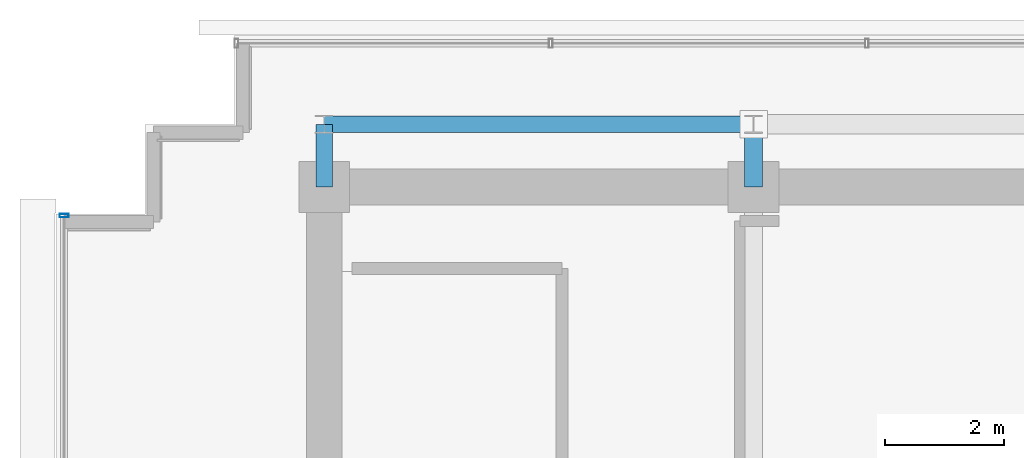
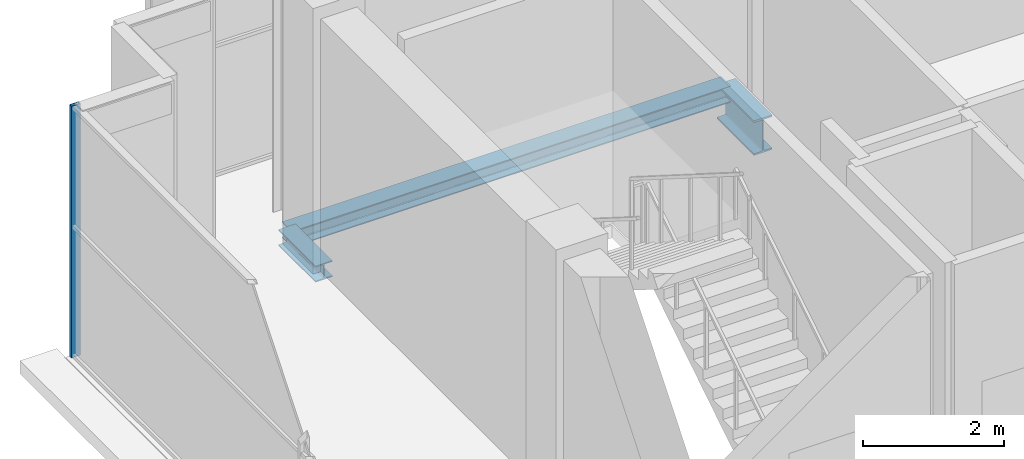
# One storey, part 13 of 26: 3 beams, 1 member, 1 element without a shape of its own.
"""IFC4 building model written with IfcOpenShell, lengths in metres."""

from ifc_helpers import new_model, si_unit, direction, frame, origin, origin_2d, place, context, subcontext, project, spatial, hollow_rectangle, i_section, extrude, source, transform, mapped, material, layer, layer_set, material_profile, profile_set, type_object, element, aggregate, save


model = new_model("IFC4")

# Units and contexts
model_context = context("Model", 3, precision=1e-05, world=origin(), true_north=direction((0.0, 1.0)))
body_context = subcontext(model_context, "Body", "Model", "MODEL_VIEW")
ifc_project = project(units=[si_unit("LENGTHUNIT", "METRE"), si_unit("AREAUNIT", "SQUARE_METRE"), si_unit("VOLUMEUNIT", "CUBIC_METRE"), si_unit("PLANEANGLEUNIT", "RADIAN"), si_unit("MASSUNIT", "GRAM", prefix="KILO")], contexts=[model_context])

# Site, building, storey
site_placement = place(None, origin())
site = spatial("IfcSite", under=ifc_project, at=site_placement, CompositionType="ELEMENT")
building_placement = place(site_placement, origin())
building = spatial("IfcBuilding", under=site, at=building_placement, Name="Zarnakvel Exchange Tower", CompositionType="ELEMENT")
storey_placement = place(building_placement, frame((0.0, 0.0, 285.39990234375)))
storey = spatial("IfcBuildingStorey", under=building, at=storey_placement, Name="Crown L80", CompositionType="ELEMENT", Elevation=285.39990234375)

# Beams
ifc_material_1 = material(Name="Steel S355", Category="steel")
ifc_material_profile_1 = material_profile(ifc_material_1, i_section(OverallWidth=0.300048828125, OverallDepth=0.60009765625, WebThickness=0.015380859375, FlangeThickness=0.030029296875, FilletRadius=0.027099609375, at=origin_2d()))
ifc_profile_set_1 = profile_set([ifc_material_profile_1], Name="Steel S355")
beam_type_1 = type_object("IfcBeamType", Name="G-04", PredefinedType="BEAM", material=ifc_profile_set_1)
beam_1_placement = place(storey_placement, frame((-7.199951171875, 13.5, -0.52001953125), z_axis=(0.0, 1.0, 0.0), x_axis=(-1.0, 0.0, 0.0)))
element("IfcBeam", 1, at=beam_1_placement, inside=storey, type_object=beam_type_1, Name="Crown L80 Tower N-S Frame Beam", PredefinedType="BEAM", context=body_context, shape_type="SweptSolid", body=[
    extrude(i_section(OverallWidth=0.300048828125, OverallDepth=0.60009765625, WebThickness=0.015380859375, FlangeThickness=0.030029296875, FilletRadius=0.027099609375, at=origin_2d()), origin(), (0.0, 0.0, 1.0), 1.050048828125),
])
ifc_material_profile_2 = material_profile(ifc_material_1, i_section(OverallWidth=0.280029296875, OverallDepth=0.280029296875, WebThickness=0.010498046875, FlangeThickness=0.01806640625, FilletRadius=0.02392578125, at=origin_2d()))
ifc_profile_set_2 = profile_set([ifc_material_profile_2], Name="Steel S355")
beam_type_2 = type_object("IfcBeamType", Name="SP-04", PredefinedType="SPANDREL", material=ifc_profile_set_2)
beam_2_placement = place(storey_placement, frame((-14.39990234375, 14.550048828125, -0.35986328125), z_axis=(1.0, 0.0, 0.0), x_axis=(0.0, 1.0, 0.0)))
element("IfcBeam", 2, at=beam_2_placement, inside=storey, type_object=beam_type_2, Name="Crown L80 Tower E-W Frame Beam", PredefinedType="SPANDREL", context=body_context, shape_type="SweptSolid", body=[
    extrude(i_section(OverallWidth=0.280029296875, OverallDepth=0.280029296875, WebThickness=0.010498046875, FlangeThickness=0.01806640625, FilletRadius=0.02392578125, at=origin_2d()), origin(), (0.0, 0.0, 1.0), 7.199951171875),
])
beam_3_placement = place(storey_placement, frame((-14.39990234375, 13.5, -0.35986328125), z_axis=(0.0, 1.0, 0.0), x_axis=(-1.0, 0.0, 0.0)))
element("IfcBeam", 3, at=beam_3_placement, inside=storey, type_object=beam_type_2, Name="Crown L80 Tower N-S Frame Beam", PredefinedType="SPANDREL", context=body_context, shape_type="SweptSolid", body=[
    extrude(i_section(OverallWidth=0.280029296875, OverallDepth=0.280029296875, WebThickness=0.010498046875, FlangeThickness=0.01806640625, FilletRadius=0.02392578125, at=origin_2d()), origin(), (0.0, 0.0, 1.0), 1.050048828125),
])

# Curtain wall, member
ifc_material_2 = material(Name="Architectural Bronze Anodised Aluminium", Category="aluminium")
ifc_layer = layer(ifc_material_2, 0.14990234375)
ifc_layer_set = layer_set([ifc_layer], Name="Architectural Bronze Anodised Aluminium")
curtain_wall_type = type_object("IfcCurtainWallType", Name="CW-07", PredefinedType="NOTDEFINED", material=ifc_layer_set)
curtain_wall_placement = place(storey_placement, origin())
curtain_wall = element("IfcCurtainWall", 4, at=curtain_wall_placement, inside=storey, type_object=curtain_wall_type, Name="Crown L80 Curtain Wall CW-Crown L80-W (CW-07)", PredefinedType="NOTDEFINED")
ifc_material_profile_3 = material_profile(ifc_material_2, hollow_rectangle(XDim=0.14990234375, YDim=0.06005859375, WallThickness=0.00390625, at=origin_2d()))
ifc_profile_set_3 = profile_set([ifc_material_profile_3], Name="Architectural Bronze Anodised Aluminium")
member_type = type_object("IfcMemberType", Name="CWM-07", PredefinedType="MULLION", material=ifc_profile_set_3)
shared_shape = source(origin(), body_context, "Body", "SweptSolid", [
    extrude(hollow_rectangle(XDim=0.14990234375, YDim=0.06005859375, WallThickness=0.00390625, at=origin_2d()), origin(), (0.0, 0.0, 1.0), 4.360107421875),
])
member_placement = place(storey_placement, frame((-18.760009765625, 13.02001953125, 0.0), z_axis=(0.0, 0.0, 1.0), x_axis=(-1.0, 0.0, 0.0)))
member = element("IfcMember", 5, at=member_placement, type_object=member_type, Name="CW-07 mullion 5", PredefinedType="MULLION", context=body_context, shape_type="MappedRepresentation", body=[
    mapped(shared_shape, transform((0.0, 0.0, 0.0), x_axis=(1.0, 0.0, 0.0), y_axis=(0.0, 1.0, 0.0), z_axis=(0.0, 0.0, 1.0), scale=1.0)),
])
aggregate(curtain_wall, [member])

save(model, "model.ifc")
